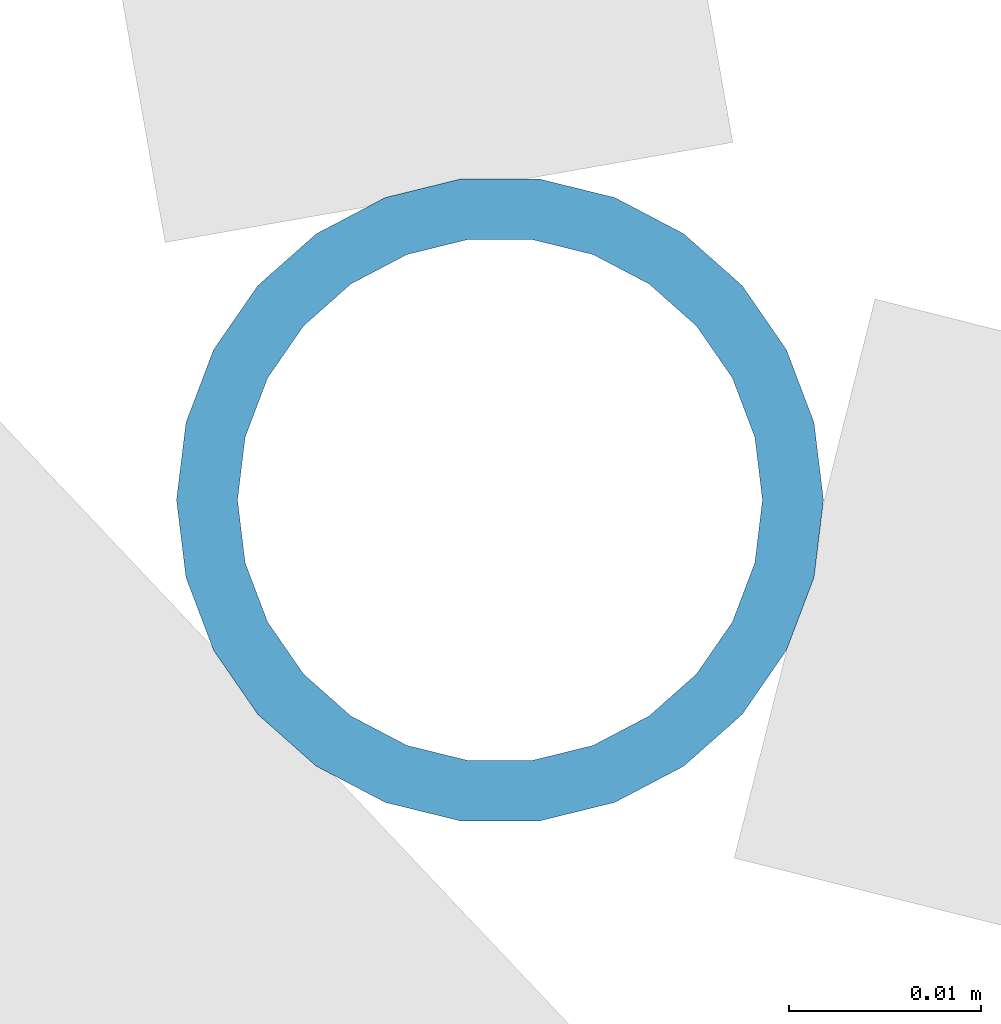
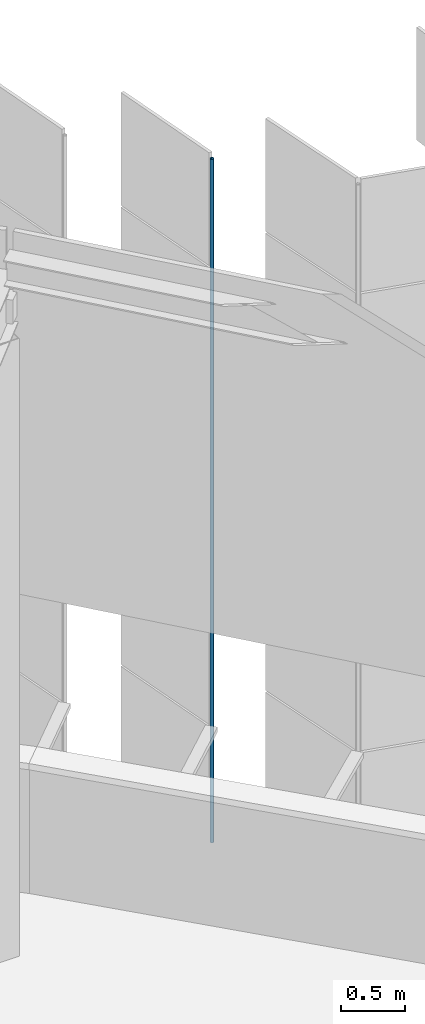
# One storey, part 318 of 483: 1 discrete accessory.
"""IFC4 building model written with IfcOpenShell, lengths in metres."""

import ifcopenshell
import ifcopenshell.guid

model = None  # the IFC model being written
_history = None  # IfcOwnerHistory: only IFC2X3 demands one
_inside = {}  # id of a spatial element -> (the spatial element, [elements in it])
_under = {}  # id of a project, library or spatial element -> (it, [spatial elements below it])
_declared = {}  # id of a project -> (the project, [libraries it declares])
_typed = {}  # id of a type object -> (the type object, [elements of that type])
_made_of = {}  # id of a material, layer set ... -> (it, [elements and type objects made of it])


def new_model(schema):
    """Start an empty IFC model of exactly this schema.

    Asked for "IFC4X3", IfcOpenShell would pick the latest addendum, in which some entities
    have other attributes; the version numbers below select the first issue.
    IFC2X3 requires an IfcOwnerHistory on every rooted entity: one is made here for all.
    """
    global model, _history
    if schema == "IFC4X3":
        model = ifcopenshell.file(schema_version=(4, 3, 0, 0))
    else:
        model = ifcopenshell.file(schema=schema)
    _inside.clear()
    _under.clear()
    _declared.clear()
    _typed.clear()
    _made_of.clear()
    _history = None
    if model.schema == "IFC2X3":
        org = make("IfcOrganization", Name="unknown")
        user = make(
            "IfcPersonAndOrganization",
            ThePerson=make("IfcPerson", FamilyName="unknown"),
            TheOrganization=org,
        )
        app = make(
            "IfcApplication",
            ApplicationDeveloper=org,
            Version="unknown",
            ApplicationFullName="unknown",
            ApplicationIdentifier="unknown",
        )
        _history = make(
            "IfcOwnerHistory",
            OwningUser=user,
            OwningApplication=app,
            ChangeAction="ADDED",
            CreationDate=0,
        )
    return model


def make(cls, **values):
    """One entity of the class cls with the attributes given. An attribute that is None is left unset."""
    return model.create_entity(
        cls, **{name: value for name, value in values.items() if value is not None}
    )


def rooted(cls, **values):
    """An entity with a GlobalId (a new one), such as an element, a storey or a relation."""
    return make(cls, GlobalId=ifcopenshell.guid.new(), OwnerHistory=_history, **values)


def si_unit(unit_type, name, prefix=None):
    """IfcSIUnit, for example si_unit("LENGTHUNIT", "METRE", prefix="MILLI")."""
    return make("IfcSIUnit", UnitType=unit_type, Prefix=prefix, Name=name)


def assignment(units):
    """IfcUnitAssignment: the units of a project."""
    return None if units is None else make("IfcUnitAssignment", Units=units)


def point(xyz):
    """IfcCartesianPoint."""
    return None if xyz is None else make("IfcCartesianPoint", Coordinates=xyz)


def direction(xyz):
    """IfcDirection."""
    return None if xyz is None else make("IfcDirection", DirectionRatios=xyz)


def frame(location, z_axis=None, x_axis=None):
    """IfcAxis2Placement3D, a coordinate frame: its origin and axes. An axis left out is left unset."""
    return make(
        "IfcAxis2Placement3D",
        Location=point(location),
        Axis=direction(z_axis),
        RefDirection=direction(x_axis),
    )


def frame_2d(location, x_axis=None):
    """IfcAxis2Placement2D, a coordinate frame in the plane: its origin and x axis."""
    return make(
        "IfcAxis2Placement2D", Location=point(location), RefDirection=direction(x_axis)
    )


def origin():
    """The frame at (0, 0, 0) with its axes left unset."""
    return frame((0.0, 0.0, 0.0))


def origin_2d():
    """The frame at (0, 0) in the plane with its x axis left unset."""
    return frame_2d((0.0, 0.0))


def place(relative_to, where):
    """IfcLocalPlacement: puts the frame where relative to a parent placement (None: the world)."""
    return make(
        "IfcLocalPlacement", PlacementRelTo=relative_to, RelativePlacement=where
    )


def context(
    kind, dimensions, precision=None, world=None, true_north=None, identifier=None
):
    """IfcGeometricRepresentationContext, for example the 3D "Model" context."""
    return make(
        "IfcGeometricRepresentationContext",
        ContextIdentifier=identifier,
        ContextType=kind,
        CoordinateSpaceDimension=dimensions,
        Precision=precision,
        WorldCoordinateSystem=world,
        TrueNorth=true_north,
    )


def subcontext(parent, identifier, kind, view, scale=None):
    """IfcGeometricRepresentationSubContext, for example "Body" below "Model"."""
    return make(
        "IfcGeometricRepresentationSubContext",
        ContextIdentifier=identifier,
        ContextType=kind,
        ParentContext=parent,
        TargetScale=scale,
        TargetView=view,
    )


def project(units=None, contexts=None):
    """IfcProject with its units and contexts."""
    return rooted(
        "IfcProject",
        Name="project",
        RepresentationContexts=contexts,
        UnitsInContext=assignment(units),
    )


def spatial(cls, under=None, at=None, **own):
    """A site, building, storey or space (cls), placed at a placement, below another one or the project."""
    s = rooted(cls, ObjectPlacement=at, **own)
    if under is not None:
        _under.setdefault(under.id(), (under, []))[1].append(s)
    return s


def profile(cls, at=None, kind="AREA", **sizes):
    """A parametric profile (cls). Its sizes go by their IFC names, for example OverallWidth=200.0."""
    return make(cls, ProfileType=kind, Position=at, **sizes)


def hollow_circle(**sizes):
    """IfcCircleHollowProfileDef."""
    return profile("IfcCircleHollowProfileDef", **sizes)


def extrude(swept, where, along, depth):
    """IfcExtrudedAreaSolid: the profile swept, set in the frame where, extruded along a direction by depth."""
    return make(
        "IfcExtrudedAreaSolid",
        SweptArea=swept,
        Position=where,
        ExtrudedDirection=direction(along),
        Depth=depth,
    )


def shape(context_of_items, identifier, shape_type, items):
    """IfcShapeRepresentation: the items that make up one representation, for example the "Body"."""
    return make(
        "IfcShapeRepresentation",
        ContextOfItems=context_of_items,
        RepresentationIdentifier=identifier,
        RepresentationType=shape_type,
        Items=items,
    )


def material(Name=None, Category=None):
    """IfcMaterial."""
    return make("IfcMaterial", Name=Name, Category=Category)


def material_profile(
    of_material, cross_section, Name=None, Category=None, Priority=None
):
    """IfcMaterialProfile: a cross section and its material."""
    return make(
        "IfcMaterialProfile",
        Name=Name,
        Material=of_material,
        Profile=cross_section,
        Priority=Priority,
        Category=Category,
    )


def profile_set(profiles, Name=None, composite=None):
    """IfcMaterialProfileSet."""
    return make(
        "IfcMaterialProfileSet",
        Name=Name,
        MaterialProfiles=profiles,
        CompositeProfile=composite,
    )


def made_of(thing, what):
    """Note that an element or type object is made of a material, layer set ...; save() writes the relation."""
    if what is not None:
        _made_of.setdefault(what.id(), (what, []))[1].append(thing)
    return thing


def type_object(cls, material=None, **own):
    """A type object (cls), such as IfcWallType, which elements share."""
    return made_of(rooted(cls, **own), material)


def element(
    cls,
    number,
    at=None,
    inside=None,
    cuts=None,
    type_object=None,
    material=None,
    context=None,
    identifier="Body",
    shape_type=None,
    held_by="IfcProductDefinitionShape",
    body=None,
    shapes=None,
    **own,
):
    """One element of the class cls, such as IfcWall. Its Tag is "e" and its number.

    at: its placement. inside: the storey or other place that contains it. cuts: it is an
    opening in that element (IfcRelVoidsElement). A single representation is given by context,
    identifier, shape_type and body (its items); several are given by shapes. held_by: the class
    of the entity that holds the representations. save() writes the other relations.
    """
    e = rooted(cls, Tag="e%d" % number, ObjectPlacement=at, **own)
    if body is not None:
        shapes = [shape(context, identifier, shape_type, body)]
    if shapes is not None:
        e.Representation = make(held_by, Representations=shapes)
    if inside is not None:
        _inside.setdefault(inside.id(), (inside, []))[1].append(e)
    if cuts is not None:
        rooted(
            "IfcRelVoidsElement", RelatingBuildingElement=cuts, RelatedOpeningElement=e
        )
    if type_object is not None:
        _typed.setdefault(type_object.id(), (type_object, []))[1].append(e)
    return made_of(e, material)


def aggregate(whole, parts):
    """IfcRelAggregates: a whole, such as a stair, and the parts it consists of."""
    return rooted("IfcRelAggregates", RelatingObject=whole, RelatedObjects=parts)


def save(model, path):
    """Write the relations noted so far, then the file.

    IfcRelAggregates (storeys below a building ...), IfcRelContainedInSpatialStructure (elements
    in a storey), IfcRelDefinesByType, IfcRelAssociatesMaterial and IfcRelDeclares: one each for
    every whole, place, type object, material and project.
    """
    for whole, parts in _under.values():
        aggregate(whole, parts)
    for where, things in _inside.values():
        rooted(
            "IfcRelContainedInSpatialStructure",
            RelatedElements=things,
            RelatingStructure=where,
        )
    for kind, things in _typed.values():
        rooted("IfcRelDefinesByType", RelatedObjects=things, RelatingType=kind)
    for what, things in _made_of.values():
        rooted("IfcRelAssociatesMaterial", RelatedObjects=things, RelatingMaterial=what)
    for by, libraries in _declared.values():
        rooted("IfcRelDeclares", RelatingContext=by, RelatedDefinitions=libraries)
    model.write(path)


model = new_model("IFC4")

# Units and contexts
model_context = context("Model", 3, precision=1e-05, world=origin(), true_north=direction((0.0, 1.0)))
body_context = subcontext(model_context, "Body", "Model", "MODEL_VIEW")
ifc_project = project(units=[si_unit("LENGTHUNIT", "METRE"), si_unit("AREAUNIT", "SQUARE_METRE"), si_unit("VOLUMEUNIT", "CUBIC_METRE"), si_unit("PLANEANGLEUNIT", "RADIAN"), si_unit("MASSUNIT", "GRAM", prefix="KILO")], contexts=[model_context])

# Site, building, storey
site_placement = place(None, origin())
site = spatial("IfcSite", under=ifc_project, at=site_placement, CompositionType="ELEMENT")
building_placement = place(site_placement, origin())
building = spatial("IfcBuilding", under=site, at=building_placement, Name="Parallax Yard Mobility Hub", CompositionType="ELEMENT")
storey_placement = place(building_placement, frame((0.0, 0.0, 13.199951171875)))
storey = spatial("IfcBuildingStorey", under=building, at=storey_placement, Name="L04", CompositionType="ELEMENT", Elevation=13.199951171875)

# Discrete accessory
ifc_material = material(Name="Steel ASTM A500 Gr C, hot-dip galvanised", Category="steel")
ifc_material_profile = material_profile(ifc_material, hollow_circle(Radius=0.016845703125, WallThickness=0.003173828125, at=origin_2d()), Name="CHS 33.7x3.2")
ifc_profile_set = profile_set([ifc_material_profile], Name="Steel ASTM A500 Gr C, hot-dip galvanised")
discrete_accessory_type = type_object("IfcDiscreteAccessoryType", Name="Hinge post CHS 33.7x3.2", PredefinedType="BRACKET", material=ifc_profile_set)
discrete_accessory_placement = place(storey_placement, frame((211.041015625, 126.844970703125, 0.0), z_axis=(0.0, 0.0, 1.0), x_axis=(1.0, 0.0, 0.0)))
element("IfcDiscreteAccessory", 1, at=discrete_accessory_placement, inside=storey, type_object=discrete_accessory_type, Name="Hinge post bay 45.7 level L04", PredefinedType="BRACKET", context=body_context, shape_type="SweptSolid", body=[
    extrude(hollow_circle(Radius=0.016845703125, WallThickness=0.003173828125, at=origin_2d()), origin(), (0.0, 0.0, 1.0), 6.550048828125),
])

save(model, "model.ifc")
